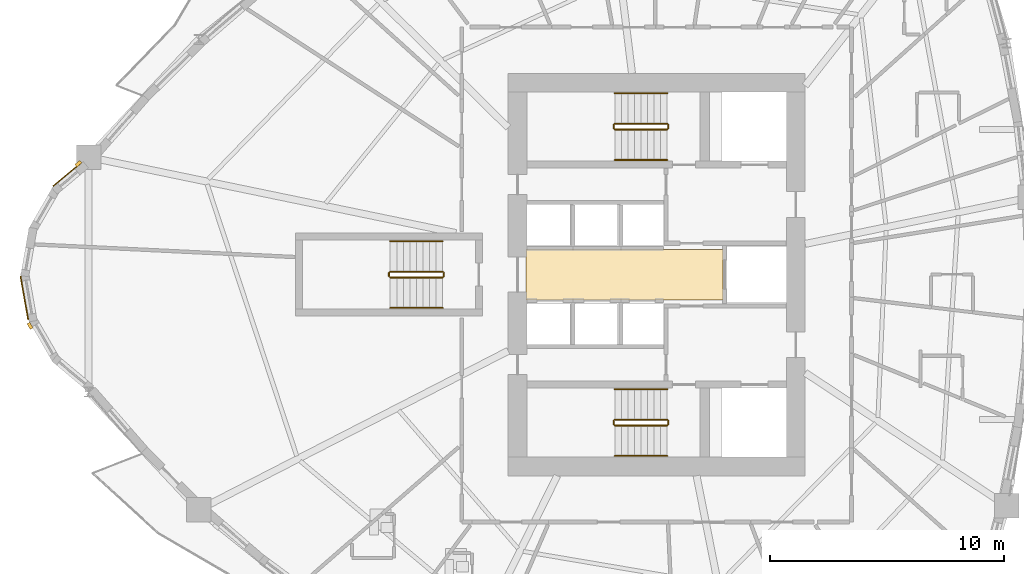
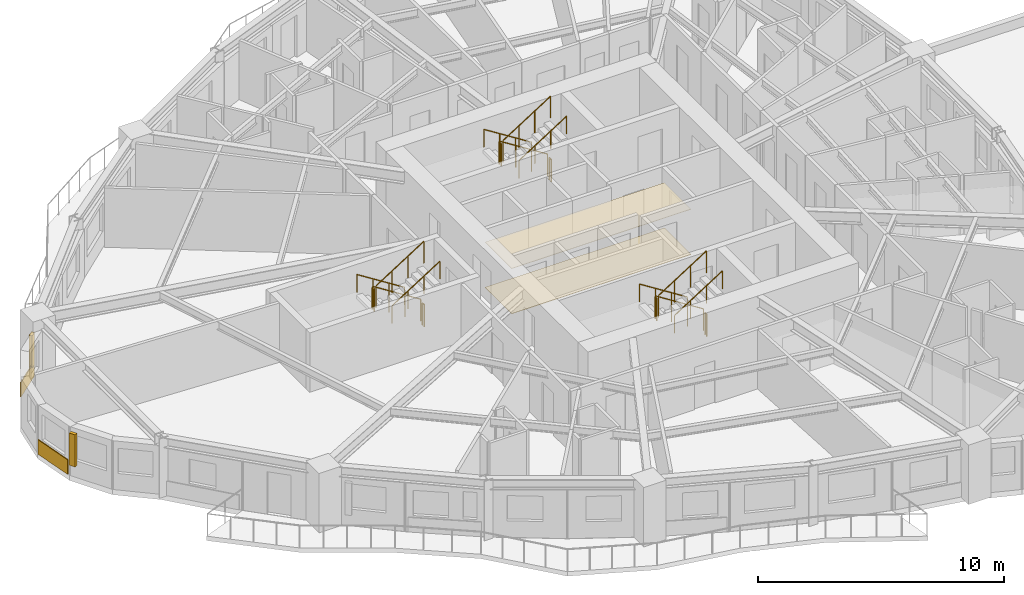
# One storey, part 12 of 15: 18 railings, 4 coverings, 2 shading devices.
"""IFC4 building model written with IfcOpenShell, lengths in metres."""

from ifc_helpers import new_model, si_unit, direction, frame, origin, origin_2d, place, context, subcontext, project, spatial, polyline, rectangle, circle, outline, extrude, source, transform, mapped, material, layer, layer_set, type_object, element, save


model = new_model("IFC4")

# Units and contexts
model_context = context("Model", 3, precision=1e-05, world=origin(), true_north=direction((0.0, 1.0)))
body_context = subcontext(model_context, "Body", "Model", "MODEL_VIEW")
ifc_project = project(units=[si_unit("LENGTHUNIT", "METRE"), si_unit("AREAUNIT", "SQUARE_METRE"), si_unit("VOLUMEUNIT", "CUBIC_METRE"), si_unit("PLANEANGLEUNIT", "RADIAN"), si_unit("MASSUNIT", "GRAM", prefix="KILO")], contexts=[model_context])

# Site, building, storey
site_placement = place(None, origin())
site = spatial("IfcSite", under=ifc_project, at=site_placement, CompositionType="ELEMENT")
building_placement = place(site_placement, origin())
building = spatial("IfcBuilding", under=site, at=building_placement, Name="Qafzar Sky-Pleat Residences", CompositionType="ELEMENT")
storey_placement = place(building_placement, frame((0.0, 0.0, 36.60009765625)))
storey = spatial("IfcBuildingStorey", under=building, at=storey_placement, Name="L10", CompositionType="ELEMENT", Elevation=36.60009765625)

# Coverings
ifc_material_1 = material(Name="Perforated acoustic gypsum board ceiling")
ifc_layer_1 = layer(ifc_material_1, 0.02001953125)
ifc_layer_set_1 = layer_set([ifc_layer_1], Name="Perforated acoustic gypsum board ceiling")
covering_type_1 = type_object("IfcCoveringType", Name="COV-CEIL-ACOUSTIC", PredefinedType="CEILING", material=ifc_layer_set_1)
covering_1_placement = place(storey_placement, frame((0.0, 0.0, 2.239990234375)))
element("IfcCovering", 1, at=covering_1_placement, inside=storey, type_object=covering_type_1, Name="L10 Passenger Lift Lobby Acoustic Ceiling", PredefinedType="CEILING", context=body_context, shape_type="SweptSolid", body=[
    extrude(outline(polyline([(33.179931640625, 24.919921875), (24.77001953125, 24.919921875), (24.77001953125, 27.080078125), (33.179931640625, 27.080078125), (33.179931640625, 24.919921875)])), origin(), (0.0, 0.0, 1.0), 0.02001953125),
])
ifc_material_2 = material(Name="Honed porcelain and Riyadh stone tile flooring", Category="masonry")
ifc_layer_2 = layer(ifc_material_2, 0.02001953125)
ifc_layer_set_2 = layer_set([ifc_layer_2], Name="Honed porcelain and Riyadh stone tile flooring")
covering_type_2 = type_object("IfcCoveringType", Name="COV-FLR-PORCELAIN", PredefinedType="FLOORING", material=ifc_layer_set_2)
covering_2_placement = place(storey_placement, origin())
element("IfcCovering", 2, at=covering_2_placement, inside=storey, type_object=covering_type_2, Name="L10 Passenger Lift Lobby Honed Stone Flooring", PredefinedType="FLOORING", context=body_context, shape_type="SweptSolid", body=[
    extrude(outline(polyline([(33.179931640625, 24.919921875), (24.77001953125, 24.919921875), (24.77001953125, 27.080078125), (33.179931640625, 27.080078125), (33.179931640625, 24.919921875)])), origin(), (0.0, 0.0, 1.0), 0.02001953125),
])
ifc_material_3 = material(Name="Honed Riyadh Tuwaiq limestone cladding", Category="masonry")
ifc_layer_3 = layer(ifc_material_3, 0.044921875)
ifc_layer_set_3 = layer_set([ifc_layer_3], Name="Honed Riyadh Tuwaiq limestone cladding")
covering_type_3 = type_object("IfcCoveringType", Name="COV-CLAD-STONE", PredefinedType="CLADDING", material=ifc_layer_set_3)
shared_shape_1 = source(origin(), body_context, "Body", "SweptSolid", [
    extrude(rectangle(XDim=1.5771484375, YDim=0.044921875, at=origin_2d()), origin(), (0.0, 0.0, 1.0), 0.719970703125),
])
covering_3_placement = place(storey_placement, frame((5.14990234375, 30.28369140625, 0.02001953125), z_axis=(0.0, 0.0, 1.0), x_axis=(-0.766074606481, -0.642751660678, 0.0)))
element("IfcCovering", 3, at=covering_3_placement, inside=storey, type_object=covering_type_3, Name="L10 Riyadh Limestone Spandrel Cladding 1", PredefinedType="CLADDING", context=body_context, shape_type="MappedRepresentation", body=[
    mapped(shared_shape_1, transform((0.0, 0.0, 0.0), x_axis=(1.0, 0.0, 0.0), y_axis=(0.0, 1.0, 0.0), z_axis=(0.0, 0.0, 1.0), scale=1.0)),
])

# Shading devices
ifc_material_4 = material(Name="Honed Riyadh limestone solar fin", Category="masonry")
ifc_layer_4 = layer(ifc_material_4, 0.139892578125)
ifc_layer_set_4 = layer_set([ifc_layer_4], Name="Honed Riyadh limestone solar fin")
shading_device_type = type_object("IfcShadingDeviceType", Name="SHD-FIN-STONE", PredefinedType="SHUTTER", material=ifc_layer_set_4)
shared_shape_2 = source(origin(), body_context, "Body", "SweptSolid", [
    extrude(rectangle(XDim=0.139892578125, YDim=0.280029296875, at=origin_2d()), origin(), (0.0, 0.0, 1.0), 1.60009765625),
])
for number, where, z_axis, x_axis, name in (
    (4, (5.627685546875, 30.740966796875, 0.599853515625), (0.0, 0.0, 1.0), (-0.642754210861, 0.76607246682, 0.0), "L10 Limestone Solar Fin 1"),
    (5, (3.5595703125, 23.80859375, 0.599853515625), (0.0, 0.0, 1.0), (-0.86604422228, -0.499967403994, 0.0), "L10 Limestone Solar Fin 5"),
):
    element("IfcShadingDevice", number, at=place(storey_placement, frame(where, z_axis=z_axis, x_axis=x_axis)), inside=storey, type_object=shading_device_type, Name=name, PredefinedType="SHUTTER", context=body_context, shape_type="MappedRepresentation", body=[
        mapped(shared_shape_2, transform((0.0, 0.0, 0.0), x_axis=(1.0, 0.0, 0.0), y_axis=(0.0, 1.0, 0.0), z_axis=(0.0, 0.0, 1.0), scale=1.0)),
    ])

# Covering
shared_shape_3 = source(origin(), body_context, "Body", "SweptSolid", [
    extrude(rectangle(XDim=1.88134765625, YDim=0.044921875, at=origin_2d()), origin(), (0.0, 0.0, 1.0), 0.719970703125),
])
covering_4_placement = place(storey_placement, frame((3.318115234375, 25.00439453125, 0.02001953125), z_axis=(0.0, 0.0, 1.0), x_axis=(0.173662519465, -0.984805224059, 0.0)))
element("IfcCovering", 6, at=covering_4_placement, inside=storey, type_object=covering_type_3, Name="L10 Riyadh Limestone Spandrel Cladding 4", PredefinedType="CLADDING", context=body_context, shape_type="MappedRepresentation", body=[
    mapped(shared_shape_3, transform((0.0, 0.0, 0.0), x_axis=(1.0, 0.0, 0.0), y_axis=(0.0, 1.0, 0.0), z_axis=(0.0, 0.0, 1.0), scale=1.0)),
])

# Railings
ifc_material_5 = material(Name="Painted Steel S355 stair guardrail", Category="steel")
railing_type_1 = type_object("IfcRailingType", Name="RAIL-STAIR-GUARD", PredefinedType="GUARDRAIL", material=ifc_material_5)
shared_shape_4 = source(origin(), body_context, "Body", "SweptSolid", [
    extrude(circle(Radius=0.02392578125, at=origin_2d()), frame((0.0, 0.0, 1.076171875), z_axis=(0.0, -1.0, 0.0), x_axis=(1.0, 0.0, 0.0)), (0.0, 0.0, 1.0), 0.14990234375),
    extrude(circle(Radius=0.02099609375, at=origin_2d()), origin(), (0.0, 0.0, 1.0), 1.052001953125),
    extrude(circle(Radius=0.02099609375, at=origin_2d()), frame((0.0, -0.14990234375, 0.0)), (0.0, 0.0, 1.0), 1.052001953125),
])
for number, where, name in (
    (7, (28.510009765625, 19.75, 1.599853515625), "L10 ST1 stair guard 2"),
    (8, (30.85009765625, 19.75, 0.0), "L10 ST1 stair guard 4"),
    (9, (28.510009765625, 32.39990234375, 1.599853515625), "L10 ST2 stair guard 2"),
    (10, (30.85009765625, 32.39990234375, 0.0), "L10 ST2 stair guard 4"),
    (11, (18.909912109375, 26.074951171875, 1.599853515625), "L10 ST3 stair guard 2"),
    (12, (21.25, 26.074951171875, 0.0), "L10 ST3 stair guard 4"),
):
    element("IfcRailing", number, at=place(storey_placement, frame(where)), inside=storey, type_object=railing_type_1, Name=name, PredefinedType="GUARDRAIL", context=body_context, shape_type="MappedRepresentation", body=[
        mapped(shared_shape_4, transform((0.0, 0.0, 0.0), x_axis=(1.0, 0.0, 0.0), y_axis=(0.0, 1.0, 0.0), z_axis=(0.0, 0.0, 1.0), scale=1.0)),
    ])
shared_shape_5 = source(origin(), body_context, "Body", "SweptSolid", [
    extrude(circle(Radius=0.02392578125, at=origin_2d()), frame((0.0, 0.0, 1.076171875), z_axis=(-0.8442293374, 0.0, 0.53598211339), x_axis=(0.0, -1.0, 0.0)), (0.0, 0.0, 1.0), 2.6533203125),
    extrude(circle(Radius=0.02099609375, at=origin_2d()), origin(), (0.0, 0.0, 1.0), 1.052001953125),
    extrude(circle(Radius=0.02099609375, at=origin_2d()), frame((-0.74658203125, 0.0, 0.47412109375)), (0.0, 0.0, 1.0), 1.052001953125),
    extrude(circle(Radius=0.02099609375, at=origin_2d()), frame((-1.493408203125, 0.0, 0.947998046875)), (0.0, 0.0, 1.0), 1.052001953125),
    extrude(circle(Radius=0.02099609375, at=origin_2d()), frame((-2.239990234375, 0.0, 1.422119140625)), (0.0, 0.0, 1.0), 1.052001953125),
])
for number, where, name in (
    (13, (30.800048828125, 19.800048828125, 0.177734375), "L10 ST1 stair guard 1"),
    (14, (30.800048828125, 32.449951171875, 0.177734375), "L10 ST2 stair guard 1"),
    (15, (21.199951171875, 26.125, 0.177734375), "L10 ST3 stair guard 1"),
):
    element("IfcRailing", number, at=place(storey_placement, frame(where)), inside=storey, type_object=railing_type_1, Name=name, PredefinedType="GUARDRAIL", context=body_context, shape_type="MappedRepresentation", body=[
        mapped(shared_shape_5, transform((0.0, 0.0, 0.0), x_axis=(1.0, 0.0, 0.0), y_axis=(0.0, 1.0, 0.0), z_axis=(0.0, 0.0, 1.0), scale=1.0)),
    ])
ifc_material_6 = material(Name="Brushed stainless steel handrail", Category="steel")
railing_type_2 = type_object("IfcRailingType", Name="RAIL-STAIR-HAND", PredefinedType="HANDRAIL", material=ifc_material_6)
shared_shape_6 = source(origin(), body_context, "Body", "SweptSolid", [
    extrude(circle(Radius=0.02392578125, at=origin_2d()), frame((0.0, 0.0, 0.8759765625), z_axis=(-0.8442293374, 0.0, 0.53598211339), x_axis=(0.0, -1.0, 0.0)), (0.0, 0.0, 1.0), 2.6533203125),
    extrude(circle(Radius=0.02099609375, at=origin_2d()), origin(), (0.0, 0.0, 1.0), 0.851806640625),
    extrude(circle(Radius=0.02099609375, at=origin_2d()), frame((-0.74658203125, 0.0, 0.47412109375)), (0.0, 0.0, 1.0), 0.851806640625),
    extrude(circle(Radius=0.02099609375, at=origin_2d()), frame((-1.493408203125, 0.0, 0.947998046875)), (0.0, 0.0, 1.0), 0.851806640625),
    extrude(circle(Radius=0.02099609375, at=origin_2d()), frame((-2.239990234375, 0.0, 1.422119140625)), (0.0, 0.0, 1.0), 0.851806640625),
])
for number, where, name in (
    (16, (30.800048828125, 21.10009765625, 0.177734375), "L10 ST1 stair handrail 1"),
    (17, (30.800048828125, 33.75, 0.177734375), "L10 ST2 stair handrail 1"),
    (18, (21.199951171875, 27.425048828125, 0.177734375), "L10 ST3 stair handrail 1"),
):
    element("IfcRailing", number, at=place(storey_placement, frame(where)), inside=storey, type_object=railing_type_2, Name=name, PredefinedType="HANDRAIL", context=body_context, shape_type="MappedRepresentation", body=[
        mapped(shared_shape_6, transform((0.0, 0.0, 0.0), x_axis=(1.0, 0.0, 0.0), y_axis=(0.0, 1.0, 0.0), z_axis=(0.0, 0.0, 1.0), scale=1.0)),
    ])
shared_shape_7 = source(origin(), body_context, "Body", "SweptSolid", [
    extrude(circle(Radius=0.02392578125, at=origin_2d()), frame((0.0, 0.0, 1.076171875), z_axis=(0.84418770128, 0.0, 0.536047689118), x_axis=(0.0, 1.0, 0.0)), (0.0, 0.0, 1.0), 2.6533203125),
    extrude(circle(Radius=0.02099609375, at=origin_2d()), origin(), (0.0, 0.0, 1.0), 1.052001953125),
    extrude(circle(Radius=0.02099609375, at=origin_2d()), frame((0.74658203125, 0.0, 0.47412109375)), (0.0, 0.0, 1.0), 1.052001953125),
    extrude(circle(Radius=0.02099609375, at=origin_2d()), frame((1.493408203125, 0.0, 0.9482421875)), (0.0, 0.0, 1.0), 1.052001953125),
    extrude(circle(Radius=0.02099609375, at=origin_2d()), frame((2.239990234375, 0.0, 1.42236328125)), (0.0, 0.0, 1.0), 1.052001953125),
])
for number, where, name in (
    (19, (28.56005859375, 19.550048828125, 1.777587890625), "L10 ST1 stair guard 3"),
    (20, (28.56005859375, 32.199951171875, 1.777587890625), "L10 ST2 stair guard 3"),
    (21, (18.9599609375, 25.875, 1.777587890625), "L10 ST3 stair guard 3"),
):
    element("IfcRailing", number, at=place(storey_placement, frame(where)), inside=storey, type_object=railing_type_1, Name=name, PredefinedType="GUARDRAIL", context=body_context, shape_type="MappedRepresentation", body=[
        mapped(shared_shape_7, transform((0.0, 0.0, 0.0), x_axis=(1.0, 0.0, 0.0), y_axis=(0.0, 1.0, 0.0), z_axis=(0.0, 0.0, 1.0), scale=1.0)),
    ])
shared_shape_8 = source(origin(), body_context, "Body", "SweptSolid", [
    extrude(circle(Radius=0.02392578125, at=origin_2d()), frame((0.0, 0.0, 0.8759765625), z_axis=(0.84418770128, 0.0, 0.536047689118), x_axis=(0.0, 1.0, 0.0)), (0.0, 0.0, 1.0), 2.6533203125),
    extrude(circle(Radius=0.02099609375, at=origin_2d()), origin(), (0.0, 0.0, 1.0), 0.851806640625),
    extrude(circle(Radius=0.02099609375, at=origin_2d()), frame((0.74658203125, 0.0, 0.47412109375)), (0.0, 0.0, 1.0), 0.851806640625),
    extrude(circle(Radius=0.02099609375, at=origin_2d()), frame((1.493408203125, 0.0, 0.9482421875)), (0.0, 0.0, 1.0), 0.851806640625),
    extrude(circle(Radius=0.02099609375, at=origin_2d()), frame((2.239990234375, 0.0, 1.42236328125)), (0.0, 0.0, 1.0), 0.851806640625),
])
for number, where, name in (
    (22, (28.56005859375, 18.25, 1.777587890625), "L10 ST1 stair handrail 2"),
    (23, (28.56005859375, 30.89990234375, 1.777587890625), "L10 ST2 stair handrail 2"),
    (24, (18.9599609375, 24.574951171875, 1.777587890625), "L10 ST3 stair handrail 2"),
):
    element("IfcRailing", number, at=place(storey_placement, frame(where)), inside=storey, type_object=railing_type_2, Name=name, PredefinedType="HANDRAIL", context=body_context, shape_type="MappedRepresentation", body=[
        mapped(shared_shape_8, transform((0.0, 0.0, 0.0), x_axis=(1.0, 0.0, 0.0), y_axis=(0.0, 1.0, 0.0), z_axis=(0.0, 0.0, 1.0), scale=1.0)),
    ])

save(model, "model.ifc")
